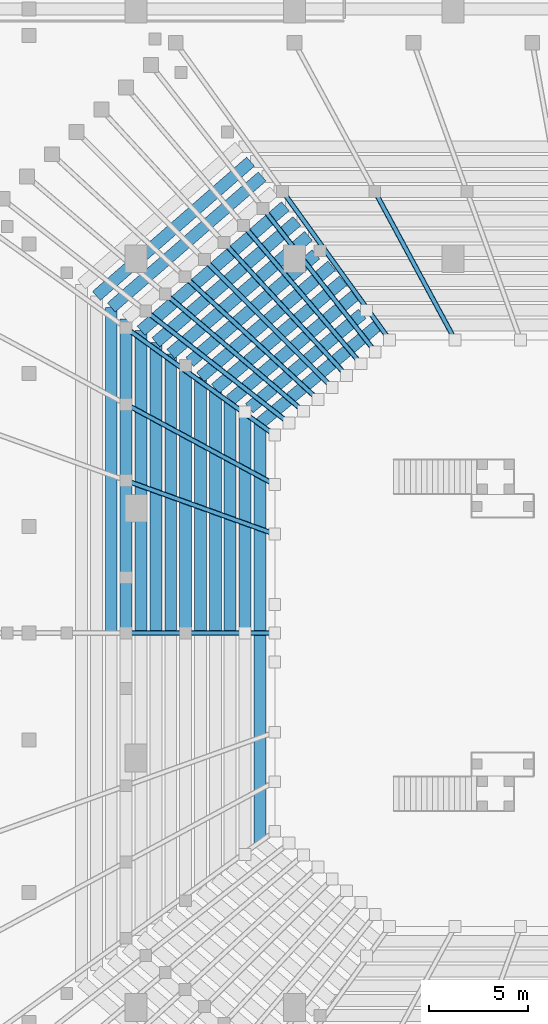
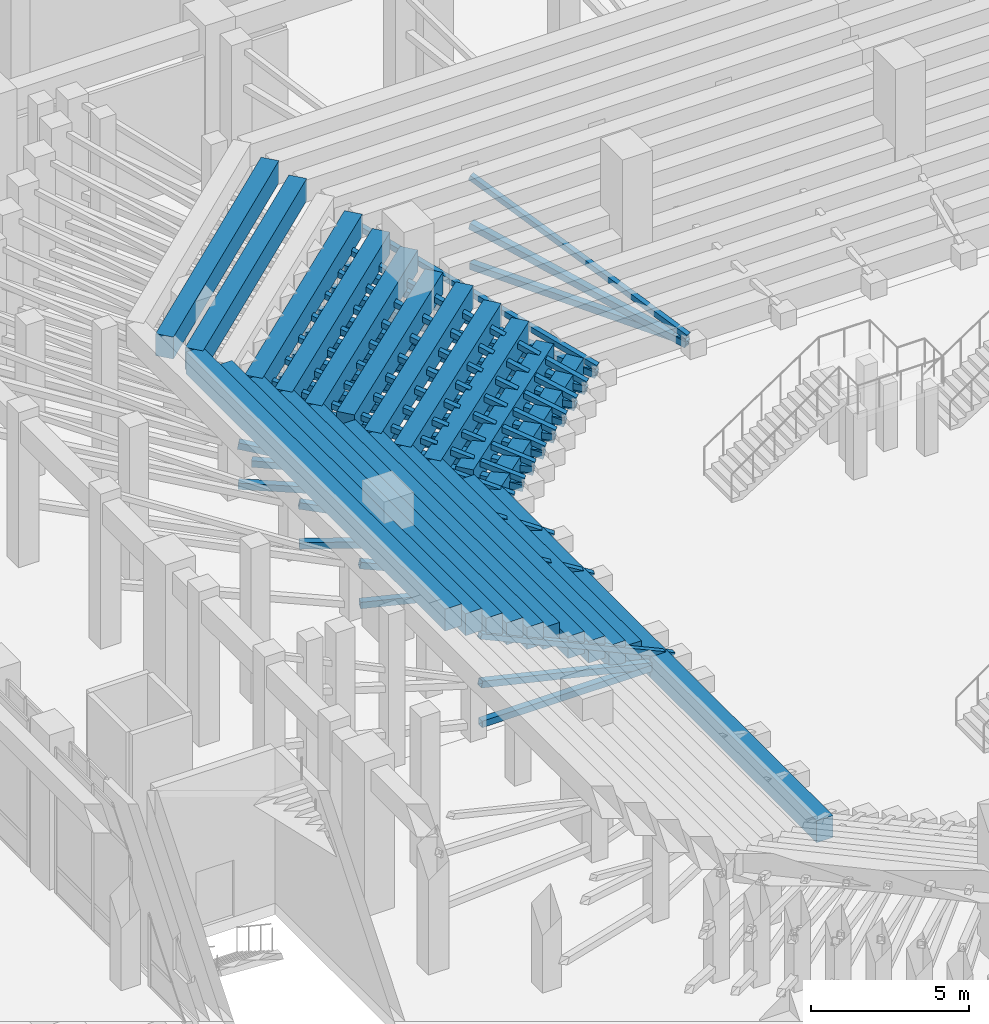
# One storey, part 44 of 143: 39 members, 23 beams.
"""IFC4 building model written with IfcOpenShell, lengths in metres."""

import ifcopenshell
import ifcopenshell.guid

model = None  # the IFC model being written
_history = None  # IfcOwnerHistory: only IFC2X3 demands one
_inside = {}  # id of a spatial element -> (the spatial element, [elements in it])
_under = {}  # id of a project, library or spatial element -> (it, [spatial elements below it])
_declared = {}  # id of a project -> (the project, [libraries it declares])
_typed = {}  # id of a type object -> (the type object, [elements of that type])
_made_of = {}  # id of a material, layer set ... -> (it, [elements and type objects made of it])


def new_model(schema):
    """Start an empty IFC model of exactly this schema.

    Asked for "IFC4X3", IfcOpenShell would pick the latest addendum, in which some entities
    have other attributes; the version numbers below select the first issue.
    IFC2X3 requires an IfcOwnerHistory on every rooted entity: one is made here for all.
    """
    global model, _history
    if schema == "IFC4X3":
        model = ifcopenshell.file(schema_version=(4, 3, 0, 0))
    else:
        model = ifcopenshell.file(schema=schema)
    _inside.clear()
    _under.clear()
    _declared.clear()
    _typed.clear()
    _made_of.clear()
    _history = None
    if model.schema == "IFC2X3":
        org = make("IfcOrganization", Name="unknown")
        user = make(
            "IfcPersonAndOrganization",
            ThePerson=make("IfcPerson", FamilyName="unknown"),
            TheOrganization=org,
        )
        app = make(
            "IfcApplication",
            ApplicationDeveloper=org,
            Version="unknown",
            ApplicationFullName="unknown",
            ApplicationIdentifier="unknown",
        )
        _history = make(
            "IfcOwnerHistory",
            OwningUser=user,
            OwningApplication=app,
            ChangeAction="ADDED",
            CreationDate=0,
        )
    return model


def make(cls, **values):
    """One entity of the class cls with the attributes given. An attribute that is None is left unset."""
    return model.create_entity(
        cls, **{name: value for name, value in values.items() if value is not None}
    )


def rooted(cls, **values):
    """An entity with a GlobalId (a new one), such as an element, a storey or a relation."""
    return make(cls, GlobalId=ifcopenshell.guid.new(), OwnerHistory=_history, **values)


def si_unit(unit_type, name, prefix=None):
    """IfcSIUnit, for example si_unit("LENGTHUNIT", "METRE", prefix="MILLI")."""
    return make("IfcSIUnit", UnitType=unit_type, Prefix=prefix, Name=name)


def derived_unit(unit_type, elements):
    """IfcDerivedUnit: a product of units, each with its exponent."""
    return make(
        "IfcDerivedUnit",
        Elements=[
            make("IfcDerivedUnitElement", Unit=unit, Exponent=power)
            for unit, power in elements
        ],
        UnitType=unit_type,
    )


def assignment(units):
    """IfcUnitAssignment: the units of a project."""
    return None if units is None else make("IfcUnitAssignment", Units=units)


def point(xyz):
    """IfcCartesianPoint."""
    return None if xyz is None else make("IfcCartesianPoint", Coordinates=xyz)


def direction(xyz):
    """IfcDirection."""
    return None if xyz is None else make("IfcDirection", DirectionRatios=xyz)


def frame(location, z_axis=None, x_axis=None):
    """IfcAxis2Placement3D, a coordinate frame: its origin and axes. An axis left out is left unset."""
    return make(
        "IfcAxis2Placement3D",
        Location=point(location),
        Axis=direction(z_axis),
        RefDirection=direction(x_axis),
    )


def frame_2d(location, x_axis=None):
    """IfcAxis2Placement2D, a coordinate frame in the plane: its origin and x axis."""
    return make(
        "IfcAxis2Placement2D", Location=point(location), RefDirection=direction(x_axis)
    )


def origin():
    """The frame at (0, 0, 0) with its axes left unset."""
    return frame((0.0, 0.0, 0.0))


def origin_2d():
    """The frame at (0, 0) in the plane with its x axis left unset."""
    return frame_2d((0.0, 0.0))


def place(relative_to, where):
    """IfcLocalPlacement: puts the frame where relative to a parent placement (None: the world)."""
    return make(
        "IfcLocalPlacement", PlacementRelTo=relative_to, RelativePlacement=where
    )


def context(
    kind, dimensions, precision=None, world=None, true_north=None, identifier=None
):
    """IfcGeometricRepresentationContext, for example the 3D "Model" context."""
    return make(
        "IfcGeometricRepresentationContext",
        ContextIdentifier=identifier,
        ContextType=kind,
        CoordinateSpaceDimension=dimensions,
        Precision=precision,
        WorldCoordinateSystem=world,
        TrueNorth=true_north,
    )


def subcontext(parent, identifier, kind, view, scale=None):
    """IfcGeometricRepresentationSubContext, for example "Body" below "Model"."""
    return make(
        "IfcGeometricRepresentationSubContext",
        ContextIdentifier=identifier,
        ContextType=kind,
        ParentContext=parent,
        TargetScale=scale,
        TargetView=view,
    )


def project(units=None, contexts=None):
    """IfcProject with its units and contexts."""
    return rooted(
        "IfcProject",
        Name="project",
        RepresentationContexts=contexts,
        UnitsInContext=assignment(units),
    )


def spatial(cls, under=None, at=None, **own):
    """A site, building, storey or space (cls), placed at a placement, below another one or the project."""
    s = rooted(cls, ObjectPlacement=at, **own)
    if under is not None:
        _under.setdefault(under.id(), (under, []))[1].append(s)
    return s


def profile(cls, at=None, kind="AREA", **sizes):
    """A parametric profile (cls). Its sizes go by their IFC names, for example OverallWidth=200.0."""
    return make(cls, ProfileType=kind, Position=at, **sizes)


def rectangle(**sizes):
    """IfcRectangleProfileDef."""
    return profile("IfcRectangleProfileDef", **sizes)


def hollow_rectangle(**sizes):
    """IfcRectangleHollowProfileDef."""
    return profile("IfcRectangleHollowProfileDef", **sizes)


def extrude(swept, where, along, depth):
    """IfcExtrudedAreaSolid: the profile swept, set in the frame where, extruded along a direction by depth."""
    return make(
        "IfcExtrudedAreaSolid",
        SweptArea=swept,
        Position=where,
        ExtrudedDirection=direction(along),
        Depth=depth,
    )


def shape(context_of_items, identifier, shape_type, items):
    """IfcShapeRepresentation: the items that make up one representation, for example the "Body"."""
    return make(
        "IfcShapeRepresentation",
        ContextOfItems=context_of_items,
        RepresentationIdentifier=identifier,
        RepresentationType=shape_type,
        Items=items,
    )


def material(Name=None, Category=None):
    """IfcMaterial."""
    return make("IfcMaterial", Name=Name, Category=Category)


def material_profile(
    of_material, cross_section, Name=None, Category=None, Priority=None
):
    """IfcMaterialProfile: a cross section and its material."""
    return make(
        "IfcMaterialProfile",
        Name=Name,
        Material=of_material,
        Profile=cross_section,
        Priority=Priority,
        Category=Category,
    )


def profile_set(profiles, Name=None, composite=None):
    """IfcMaterialProfileSet."""
    return make(
        "IfcMaterialProfileSet",
        Name=Name,
        MaterialProfiles=profiles,
        CompositeProfile=composite,
    )


def made_of(thing, what):
    """Note that an element or type object is made of a material, layer set ...; save() writes the relation."""
    if what is not None:
        _made_of.setdefault(what.id(), (what, []))[1].append(thing)
    return thing


def type_object(cls, material=None, **own):
    """A type object (cls), such as IfcWallType, which elements share."""
    return made_of(rooted(cls, **own), material)


def element(
    cls,
    number,
    at=None,
    inside=None,
    cuts=None,
    type_object=None,
    material=None,
    context=None,
    identifier="Body",
    shape_type=None,
    held_by="IfcProductDefinitionShape",
    body=None,
    shapes=None,
    **own,
):
    """One element of the class cls, such as IfcWall. Its Tag is "e" and its number.

    at: its placement. inside: the storey or other place that contains it. cuts: it is an
    opening in that element (IfcRelVoidsElement). A single representation is given by context,
    identifier, shape_type and body (its items); several are given by shapes. held_by: the class
    of the entity that holds the representations. save() writes the other relations.
    """
    e = rooted(cls, Tag="e%d" % number, ObjectPlacement=at, **own)
    if body is not None:
        shapes = [shape(context, identifier, shape_type, body)]
    if shapes is not None:
        e.Representation = make(held_by, Representations=shapes)
    if inside is not None:
        _inside.setdefault(inside.id(), (inside, []))[1].append(e)
    if cuts is not None:
        rooted(
            "IfcRelVoidsElement", RelatingBuildingElement=cuts, RelatedOpeningElement=e
        )
    if type_object is not None:
        _typed.setdefault(type_object.id(), (type_object, []))[1].append(e)
    return made_of(e, material)


def aggregate(whole, parts):
    """IfcRelAggregates: a whole, such as a stair, and the parts it consists of."""
    return rooted("IfcRelAggregates", RelatingObject=whole, RelatedObjects=parts)


def save(model, path):
    """Write the relations noted so far, then the file.

    IfcRelAggregates (storeys below a building ...), IfcRelContainedInSpatialStructure (elements
    in a storey), IfcRelDefinesByType, IfcRelAssociatesMaterial and IfcRelDeclares: one each for
    every whole, place, type object, material and project.
    """
    for whole, parts in _under.values():
        aggregate(whole, parts)
    for where, things in _inside.values():
        rooted(
            "IfcRelContainedInSpatialStructure",
            RelatedElements=things,
            RelatingStructure=where,
        )
    for kind, things in _typed.values():
        rooted("IfcRelDefinesByType", RelatedObjects=things, RelatingType=kind)
    for what, things in _made_of.values():
        rooted("IfcRelAssociatesMaterial", RelatedObjects=things, RelatingMaterial=what)
    for by, libraries in _declared.values():
        rooted("IfcRelDeclares", RelatingContext=by, RelatedDefinitions=libraries)
    model.write(path)


model = new_model("IFC4")

# Units and contexts
model_context = context("Model", 3, precision=1e-05, world=origin(), true_north=direction((0.0, 1.0)))
body_context = subcontext(model_context, "Body", "Model", "MODEL_VIEW")
ifc_project = project(units=[si_unit("LENGTHUNIT", "METRE"), si_unit("AREAUNIT", "SQUARE_METRE"), si_unit("VOLUMEUNIT", "CUBIC_METRE"), si_unit("PLANEANGLEUNIT", "RADIAN"), si_unit("MASSUNIT", "GRAM", prefix="KILO"), derived_unit("THERMALTRANSMITTANCEUNIT", [(si_unit("MASSUNIT", "GRAM", prefix="KILO"), 1), (si_unit("TIMEUNIT", "SECOND"), -3), (si_unit("THERMODYNAMICTEMPERATUREUNIT", "KELVIN"), -1)])], contexts=[model_context])

# Site, building, storey
site_placement = place(None, origin())
site = spatial("IfcSite", under=ifc_project, at=site_placement, CompositionType="ELEMENT")
building_placement = place(site_placement, origin())
building = spatial("IfcBuilding", under=site, at=building_placement, Name="Valcora Ridge Arena", CompositionType="ELEMENT")
storey_placement = place(building_placement, origin())
storey = spatial("IfcBuildingStorey", under=building, at=storey_placement, Name="L00", CompositionType="ELEMENT", Elevation=0.0)

# Beams
ifc_material_1 = material(Name="Concrete C40/50", Category="concrete")
ifc_material_profile_1 = material_profile(ifc_material_1, rectangle(XDim=0.60009765625, YDim=0.85009765625, at=origin_2d()), Name="RC 600x850")
ifc_profile_set_1 = profile_set([ifc_material_profile_1], Name="Concrete C40/50")
beam_type = type_object("IfcBeamType", Name="TY-BEAM-B-RC600-X", PredefinedType="BEAM", material=ifc_profile_set_1)
beam_1_placement = place(storey_placement, frame((44.215087890625, 79.64990234375, 0.4150390625), z_axis=(-0.768605337433, -0.639723248968, 0.0), x_axis=(0.639723248968, -0.768605337433, 0.0)))
element("IfcBeam", 1, at=beam_1_placement, inside=storey, type_object=beam_type, Name="B-RC600-X BEM-R2-B-RC600-X-0009", PredefinedType="BEAM", context=body_context, shape_type="SweptSolid", body=[
    extrude(rectangle(XDim=0.60009765625, YDim=0.85009765625, at=origin_2d()), origin(), (0.0, 0.0, 1.0), 7.760986328125),
])
beam_2_placement = place(storey_placement, frame((38.25, 74.68505859375, 0.4150390625), z_axis=(0.0, -1.0, 0.0), x_axis=(1.0, 0.0, 0.0)))
element("IfcBeam", 2, at=beam_2_placement, inside=storey, type_object=beam_type, Name="B-RC600-X BEM-R2-B-RC600-X-0010", PredefinedType="BEAM", context=body_context, shape_type="SweptSolid", body=[
    extrude(rectangle(XDim=0.60009765625, YDim=0.85009765625, at=origin_2d()), origin(), (0.0, 0.0, 1.0), 10.5849609375),
])
beam_3_placement = place(storey_placement, frame((38.25, 64.10009765625, 0.4150390625), z_axis=(0.0, -1.0, 0.0), x_axis=(1.0, 0.0, 0.0)))
element("IfcBeam", 3, at=beam_3_placement, inside=storey, type_object=beam_type, Name="B-RC600-X BEM-R2-B-RC600-X-0011", PredefinedType="BEAM", context=body_context, shape_type="SweptSolid", body=[
    extrude(rectangle(XDim=0.60009765625, YDim=0.85009765625, at=origin_2d()), origin(), (0.0, 0.0, 1.0), 10.585205078125),
])
beam_4_placement = place(storey_placement, frame((43.415283203125, 80.22021484375, 0.85498046875), z_axis=(-0.76690051629, -0.6417659995, 0.0), x_axis=(0.6417659995, -0.76690051629, 0.0)))
element("IfcBeam", 4, at=beam_4_placement, inside=storey, type_object=beam_type, Name="B-RC600-X BEM-R2-B-RC600-X-0021", PredefinedType="BEAM", context=body_context, shape_type="SweptSolid", body=[
    extrude(rectangle(XDim=0.60009765625, YDim=0.85009765625, at=origin_2d()), origin(), (0.0, 0.0, 1.0), 7.433349609375),
])
beam_5_placement = place(storey_placement, frame((37.5, 74.989990234375, 0.85498046875), z_axis=(0.0, -1.0, 0.0), x_axis=(1.0, 0.0, 0.0)))
element("IfcBeam", 5, at=beam_5_placement, inside=storey, type_object=beam_type, Name="B-RC600-X BEM-R2-B-RC600-X-0022", PredefinedType="BEAM", context=body_context, shape_type="SweptSolid", body=[
    extrude(rectangle(XDim=0.60009765625, YDim=0.85009765625, at=origin_2d()), origin(), (0.0, 0.0, 1.0), 10.610107421875),
])
beam_6_placement = place(storey_placement, frame((43.044921875, 81.14990234375, 1.294921875), z_axis=(-0.765274358305, -0.643704246157, 0.0), x_axis=(0.643704246157, -0.765274358305, 0.0)))
element("IfcBeam", 6, at=beam_6_placement, inside=storey, type_object=beam_type, Name="B-RC600-X BEM-R2-B-RC600-X-0033", PredefinedType="BEAM", context=body_context, shape_type="SweptSolid", body=[
    extrude(rectangle(XDim=0.60009765625, YDim=0.85009765625, at=origin_2d()), origin(), (0.0, 0.0, 1.0), 8.2255859375),
])
beam_7_placement = place(storey_placement, frame((36.75, 75.85498046875, 1.294921875), z_axis=(0.0, -1.0, 0.0), x_axis=(1.0, 0.0, 0.0)))
element("IfcBeam", 7, at=beam_7_placement, inside=storey, type_object=beam_type, Name="B-RC600-X BEM-R2-B-RC600-X-0034", PredefinedType="BEAM", context=body_context, shape_type="SweptSolid", body=[
    extrude(rectangle(XDim=0.60009765625, YDim=0.85009765625, at=origin_2d()), origin(), (0.0, 0.0, 1.0), 11.7548828125),
])
beam_8_placement = place(storey_placement, frame((42.4599609375, 81.89990234375, 1.735107421875), z_axis=(-0.763745277173, -0.64551773918, 0.0), x_axis=(0.64551773918, -0.763745277173, 0.0)))
element("IfcBeam", 8, at=beam_8_placement, inside=storey, type_object=beam_type, Name="B-RC600-X BEM-R2-B-RC600-X-0045", PredefinedType="BEAM", context=body_context, shape_type="SweptSolid", body=[
    extrude(rectangle(XDim=0.60009765625, YDim=0.85009765625, at=origin_2d()), origin(), (0.0, 0.0, 1.0), 8.458251953125),
])
beam_9_placement = place(storey_placement, frame((36.0, 76.43994140625, 1.735107421875), z_axis=(0.0, -1.0, 0.0), x_axis=(1.0, 0.0, 0.0)))
element("IfcBeam", 9, at=beam_9_placement, inside=storey, type_object=beam_type, Name="B-RC600-X BEM-R2-B-RC600-X-0046", PredefinedType="BEAM", context=body_context, shape_type="SweptSolid", body=[
    extrude(rectangle(XDim=0.60009765625, YDim=0.85009765625, at=origin_2d()), origin(), (0.0, 0.0, 1.0), 12.33984375),
])
beam_10_placement = place(storey_placement, frame((41.875, 82.64990234375, 2.175048828125), z_axis=(-0.762294079169, -0.647230821936, 0.0), x_axis=(0.647230821936, -0.762294079169, 0.0)))
element("IfcBeam", 10, at=beam_10_placement, inside=storey, type_object=beam_type, Name="B-RC600-X BEM-R2-B-RC600-X-0057", PredefinedType="BEAM", context=body_context, shape_type="SweptSolid", body=[
    extrude(rectangle(XDim=0.60009765625, YDim=0.85009765625, at=origin_2d()), origin(), (0.0, 0.0, 1.0), 8.69091796875),
])
beam_11_placement = place(storey_placement, frame((35.25, 77.02490234375, 2.175048828125), z_axis=(0.0, -1.0, 0.0), x_axis=(1.0, 0.0, 0.0)))
element("IfcBeam", 11, at=beam_11_placement, inside=storey, type_object=beam_type, Name="B-RC600-X BEM-R2-B-RC600-X-0058", PredefinedType="BEAM", context=body_context, shape_type="SweptSolid", body=[
    extrude(rectangle(XDim=0.60009765625, YDim=0.85009765625, at=origin_2d()), origin(), (0.0, 0.0, 1.0), 12.9248046875),
])
beam_12_placement = place(storey_placement, frame((41.076904296875, 83.21826171875, 2.614990234375), z_axis=(-0.76091703384, -0.648849187109, 0.0), x_axis=(0.648849187109, -0.76091703384, 0.0)))
element("IfcBeam", 12, at=beam_12_placement, inside=storey, type_object=beam_type, Name="B-RC600-X BEM-R2-B-RC600-X-0069", PredefinedType="BEAM", context=body_context, shape_type="SweptSolid", body=[
    extrude(rectangle(XDim=0.60009765625, YDim=0.85009765625, at=origin_2d()), origin(), (0.0, 0.0, 1.0), 8.36328125),
])
beam_13_placement = place(storey_placement, frame((34.5, 77.330078125, 2.614990234375), z_axis=(0.0, -1.0, 0.0), x_axis=(1.0, 0.0, 0.0)))
element("IfcBeam", 13, at=beam_13_placement, inside=storey, type_object=beam_type, Name="B-RC600-X BEM-R2-B-RC600-X-0070", PredefinedType="BEAM", context=body_context, shape_type="SweptSolid", body=[
    extrude(rectangle(XDim=0.60009765625, YDim=0.85009765625, at=origin_2d()), origin(), (0.0, 0.0, 1.0), 12.9501953125),
])
beam_14_placement = place(storey_placement, frame((40.705078125, 84.14990234375, 3.054931640625), z_axis=(-0.759615985638, -0.650371858526, 0.0), x_axis=(0.650371858526, -0.759615985638, 0.0)))
element("IfcBeam", 14, at=beam_14_placement, inside=storey, type_object=beam_type, Name="B-RC600-X BEM-R2-B-RC600-X-0081", PredefinedType="BEAM", context=body_context, shape_type="SweptSolid", body=[
    extrude(rectangle(XDim=0.60009765625, YDim=0.85009765625, at=origin_2d()), origin(), (0.0, 0.0, 1.0), 9.156005859375),
])
beam_15_placement = place(storey_placement, frame((33.75, 78.195068359375, 3.054931640625), z_axis=(0.0, -1.0, 0.0), x_axis=(1.0, 0.0, 0.0)))
element("IfcBeam", 15, at=beam_15_placement, inside=storey, type_object=beam_type, Name="B-RC600-X BEM-R2-B-RC600-X-0082", PredefinedType="BEAM", context=body_context, shape_type="SweptSolid", body=[
    extrude(rectangle(XDim=0.60009765625, YDim=0.85009765625, at=origin_2d()), origin(), (0.0, 0.0, 1.0), 14.094970703125),
])
beam_16_placement = place(storey_placement, frame((40.1201171875, 84.89990234375, 3.4951171875), z_axis=(-0.758365655014, -0.651829374373, 0.0), x_axis=(0.651829374373, -0.758365655014, 0.0)))
element("IfcBeam", 16, at=beam_16_placement, inside=storey, type_object=beam_type, Name="B-RC600-X BEM-R2-B-RC600-X-0093", PredefinedType="BEAM", context=body_context, shape_type="SweptSolid", body=[
    extrude(rectangle(XDim=0.60009765625, YDim=0.85009765625, at=origin_2d()), origin(), (0.0, 0.0, 1.0), 9.388671875),
])
beam_17_placement = place(storey_placement, frame((33.0, 78.780029296875, 3.4951171875), z_axis=(0.0, -1.0, 0.0), x_axis=(1.0, 0.0, 0.0)))
element("IfcBeam", 17, at=beam_17_placement, inside=storey, type_object=beam_type, Name="B-RC600-X BEM-R2-B-RC600-X-0094", PredefinedType="BEAM", context=body_context, shape_type="SweptSolid", body=[
    extrude(rectangle(XDim=0.60009765625, YDim=0.85009765625, at=origin_2d()), origin(), (0.0, 0.0, 1.0), 14.679931640625),
])
beam_18_placement = place(storey_placement, frame((39.534912109375, 85.64990234375, 3.93505859375), z_axis=(-0.757162389152, -0.653226696067, 0.0), x_axis=(0.653226696067, -0.757162389152, 0.0)))
element("IfcBeam", 18, at=beam_18_placement, inside=storey, type_object=beam_type, Name="B-RC600-X BEM-R2-B-RC600-X-0105", PredefinedType="BEAM", context=body_context, shape_type="SweptSolid", body=[
    extrude(rectangle(XDim=0.60009765625, YDim=0.85009765625, at=origin_2d()), origin(), (0.0, 0.0, 1.0), 9.621337890625),
])
beam_19_placement = place(storey_placement, frame((32.25, 79.364990234375, 3.93505859375), z_axis=(0.0, -1.0, 0.0), x_axis=(1.0, 0.0, 0.0)))
element("IfcBeam", 19, at=beam_19_placement, inside=storey, type_object=beam_type, Name="B-RC600-X BEM-R2-B-RC600-X-0106", PredefinedType="BEAM", context=body_context, shape_type="SweptSolid", body=[
    extrude(rectangle(XDim=0.60009765625, YDim=0.85009765625, at=origin_2d()), origin(), (0.0, 0.0, 1.0), 15.264892578125),
])
beam_20_placement = place(storey_placement, frame((31.5, 79.949951171875, 4.375), z_axis=(0.0, -1.0, 0.0), x_axis=(1.0, 0.0, 0.0)))
element("IfcBeam", 20, at=beam_20_placement, inside=storey, type_object=beam_type, Name="B-RC600-X BEM-R2-B-RC600-X-0118", PredefinedType="BEAM", context=body_context, shape_type="SweptSolid", body=[
    extrude(rectangle(XDim=0.60009765625, YDim=0.85009765625, at=origin_2d()), origin(), (0.0, 0.0, 1.0), 15.849853515625),
])
beam_21_placement = place(storey_placement, frame((38.364990234375, 87.14990234375, 4.81494140625), z_axis=(-0.754936305086, -0.655798120814, 0.0), x_axis=(0.655798120814, -0.754936305086, 0.0)))
element("IfcBeam", 21, at=beam_21_placement, inside=storey, type_object=beam_type, Name="B-RC600-X BEM-R2-B-RC600-X-0129", PredefinedType="BEAM", context=body_context, shape_type="SweptSolid", body=[
    extrude(rectangle(XDim=0.60009765625, YDim=0.85009765625, at=origin_2d()), origin(), (0.0, 0.0, 1.0), 10.0869140625),
])
beam_22_placement = place(storey_placement, frame((30.75, 80.534912109375, 4.81494140625), z_axis=(0.0, -1.0, 0.0), x_axis=(1.0, 0.0, 0.0)))
element("IfcBeam", 22, at=beam_22_placement, inside=storey, type_object=beam_type, Name="B-RC600-X BEM-R2-B-RC600-X-0130", PredefinedType="BEAM", context=body_context, shape_type="SweptSolid", body=[
    extrude(rectangle(XDim=0.60009765625, YDim=0.85009765625, at=origin_2d()), origin(), (0.0, 0.0, 1.0), 16.434814453125),
])
beam_23_placement = place(storey_placement, frame((37.780029296875, 87.89990234375, 5.2548828125), z_axis=(-0.753907326578, -0.656980778206, 0.0), x_axis=(0.656980778206, -0.753907326578, 0.0)))
element("IfcBeam", 23, at=beam_23_placement, inside=storey, type_object=beam_type, Name="B-RC600-X BEM-R2-B-RC600-X-0141", PredefinedType="BEAM", context=body_context, shape_type="SweptSolid", body=[
    extrude(rectangle(XDim=0.60009765625, YDim=0.85009765625, at=origin_2d()), origin(), (0.0, 0.0, 1.0), 10.319580078125),
])

# Members
ifc_material_2 = material(Name="Steel ASTM A500 Grade C", Category="steel")
ifc_material_profile_2 = material_profile(ifc_material_2, hollow_rectangle(XDim=0.25, YDim=0.25, WallThickness=0.012451171875, at=origin_2d()), Name="HSS250X250X12")
ifc_profile_set_2 = profile_set([ifc_material_profile_2], Name="Steel ASTM A500 Grade C")
member_type_1 = type_object("IfcMemberType", Name="TY-MEMBER-RKRC-251", PredefinedType="CHORD", material=ifc_profile_set_2)
member_1_placement = place(storey_placement, frame((47.98828125, 79.10693359375, 0.29833984375), z_axis=(-0.465453402644, 0.861923249442, 0.201100576924), x_axis=(-0.879899060394, -0.47516065022, 0.0)))
element("IfcMember", 24, at=member_1_placement, inside=storey, type_object=member_type_1, Name="RKRC-251 MBR-RK-RKRC-251-0038", PredefinedType="CHORD", context=body_context, shape_type="SweptSolid", body=[
    extrude(hollow_rectangle(XDim=0.25, YDim=0.25, WallThickness=0.012451171875, at=origin_2d()), origin(), (0.0, 0.0, 1.0), 8.221435546875),
])
member_2_placement = place(storey_placement, frame((44.662109375, 79.09130859375, 0.294677734375), z_axis=(-0.574095048612, 0.797370949409, 0.18604957457), x_axis=(-0.811540149599, -0.584296658889, 0.0)))
element("IfcMember", 25, at=member_2_placement, inside=storey, type_object=member_type_1, Name="RKRC-251 MBR-RK-RKRC-251-0039", PredefinedType="CHORD", context=body_context, shape_type="SweptSolid", body=[
    extrude(hollow_rectangle(XDim=0.25, YDim=0.25, WallThickness=0.012451171875, at=origin_2d()), origin(), (0.0, 0.0, 1.0), 8.92578125),
])
member_3_placement = place(storey_placement, frame((43.9296875, 78.485595703125, 0.294921875), z_axis=(-0.605307455921, 0.77369753626, 0.18706952235), x_axis=(-0.787601316701, -0.616185171788, 0.0)))
element("IfcMember", 26, at=member_3_placement, inside=storey, type_object=member_type_1, Name="RKRC-251 MBR-RK-RKRC-251-0040", PredefinedType="CHORD", context=body_context, shape_type="SweptSolid", body=[
    extrude(hollow_rectangle(XDim=0.25, YDim=0.25, WallThickness=0.012451171875, at=origin_2d()), origin(), (0.0, 0.0, 1.0), 8.87451171875),
])
member_4_placement = place(storey_placement, frame((43.197509765625, 77.879638671875, 0.295166015625), z_axis=(-0.635896408049, 0.7485781687, 0.187793726136), x_axis=(-0.762137750657, -0.647414897128, 0.0)))
element("IfcMember", 27, at=member_4_placement, inside=storey, type_object=member_type_1, Name="RKRC-251 MBR-RK-RKRC-251-0041", PredefinedType="CHORD", context=body_context, shape_type="SweptSolid", body=[
    extrude(hollow_rectangle(XDim=0.25, YDim=0.25, WallThickness=0.012451171875, at=origin_2d()), origin(), (0.0, 0.0, 1.0), 8.837646484375),
])
member_5_placement = place(storey_placement, frame((42.465087890625, 77.273193359375, 0.295166015625), z_axis=(-0.665623478086, 0.722149130028, 0.18827113273), x_axis=(-0.735298404428, -0.677743503433, 0.0)))
element("IfcMember", 28, at=member_5_placement, inside=storey, type_object=member_type_1, Name="RKRC-251 MBR-RK-RKRC-251-0042", PredefinedType="CHORD", context=body_context, shape_type="SweptSolid", body=[
    extrude(hollow_rectangle(XDim=0.25, YDim=0.25, WallThickness=0.012451171875, at=origin_2d()), origin(), (0.0, 0.0, 1.0), 8.8154296875),
])
member_6_placement = place(storey_placement, frame((41.7333984375, 76.666748046875, 0.295166015625), z_axis=(-0.694454111564, 0.694426393271, 0.188428955473), x_axis=(-0.70709266911, -0.707120892982, 0.0)))
element("IfcMember", 29, at=member_6_placement, inside=storey, type_object=member_type_1, Name="RKRC-251 MBR-RK-RKRC-251-0043", PredefinedType="CHORD", context=body_context, shape_type="SweptSolid", body=[
    extrude(hollow_rectangle(XDim=0.25, YDim=0.25, WallThickness=0.012451171875, at=origin_2d()), origin(), (0.0, 0.0, 1.0), 8.807861328125),
])
member_7_placement = place(storey_placement, frame((41.001708984375, 76.059814453125, 0.295166015625), z_axis=(-0.722135817666, 0.665638902305, 0.188267662071), x_axis=(-0.67775874937, -0.735284351563, 0.0)))
element("IfcMember", 30, at=member_7_placement, inside=storey, type_object=member_type_1, Name="RKRC-251 MBR-RK-RKRC-251-0044", PredefinedType="CHORD", context=body_context, shape_type="SweptSolid", body=[
    extrude(hollow_rectangle(XDim=0.25, YDim=0.25, WallThickness=0.012451171875, at=origin_2d()), origin(), (0.0, 0.0, 1.0), 8.8154296875),
])
member_8_placement = place(storey_placement, frame((40.270263671875, 75.45263671875, 0.295166015625), z_axis=(-0.748566023591, 0.635909558144, 0.187797609638), x_axis=(-0.647428774855, -0.762125961695, 0.0)))
element("IfcMember", 31, at=member_8_placement, inside=storey, type_object=member_type_1, Name="RKRC-251 MBR-RK-RKRC-251-0045", PredefinedType="CHORD", context=body_context, shape_type="SweptSolid", body=[
    extrude(hollow_rectangle(XDim=0.25, YDim=0.25, WallThickness=0.012451171875, at=origin_2d()), origin(), (0.0, 0.0, 1.0), 8.837646484375),
])
member_9_placement = place(storey_placement, frame((39.539306640625, 74.84521484375, 0.294921875), z_axis=(-0.773684652566, 0.605324886043, 0.187066407248), x_axis=(-0.616202543034, -0.787587725881, 0.0)))
element("IfcMember", 32, at=member_9_placement, inside=storey, type_object=member_type_1, Name="RKRC-251 MBR-RK-RKRC-251-0046", PredefinedType="CHORD", context=body_context, shape_type="SweptSolid", body=[
    extrude(hollow_rectangle(XDim=0.25, YDim=0.25, WallThickness=0.012451171875, at=origin_2d()), origin(), (0.0, 0.0, 1.0), 8.874755859375),
])
member_10_placement = place(storey_placement, frame((38.80859375, 74.23779296875, 0.294677734375), z_axis=(-0.797358428485, 0.574113385493, 0.186046653079), x_axis=(-0.58431499263, -0.811526949268, 0.0)))
element("IfcMember", 33, at=member_10_placement, inside=storey, type_object=member_type_1, Name="RKRC-251 MBR-RK-RKRC-251-0047", PredefinedType="CHORD", context=body_context, shape_type="SweptSolid", body=[
    extrude(hollow_rectangle(XDim=0.25, YDim=0.25, WallThickness=0.012451171875, at=origin_2d()), origin(), (0.0, 0.0, 1.0), 8.926025390625),
])
member_11_placement = place(storey_placement, frame((38.793212890625, 71.711669921875, 0.29833984375), z_axis=(-0.861930883615, 0.465441489347, 0.201095429747), x_axis=(-0.475147975918, -0.879905904618, 0.0)))
element("IfcMember", 34, at=member_11_placement, inside=storey, type_object=member_type_1, Name="RKRC-251 MBR-RK-RKRC-251-0048", PredefinedType="CHORD", context=body_context, shape_type="SweptSolid", body=[
    extrude(hollow_rectangle(XDim=0.25, YDim=0.25, WallThickness=0.012451171875, at=origin_2d()), origin(), (0.0, 0.0, 1.0), 8.2216796875),
])
member_12_placement = place(storey_placement, frame((38.779296875, 69.179443359375, 0.301513671875), z_axis=(-0.918995292529, 0.330859919754, 0.214427996797), x_axis=(-0.338739058473, -0.940880359166, 0.0)))
element("IfcMember", 35, at=member_12_placement, inside=storey, type_object=member_type_1, Name="RKRC-251 MBR-RK-RKRC-251-0049", PredefinedType="CHORD", context=body_context, shape_type="SweptSolid", body=[
    extrude(hollow_rectangle(XDim=0.25, YDim=0.25, WallThickness=0.012451171875, at=origin_2d()), origin(), (0.0, 0.0, 1.0), 7.6806640625),
])
member_13_placement = place(storey_placement, frame((38.766357421875, 64.10009765625, 0.304443359375), z_axis=(-0.973836720987, 0.0, 0.227248852269), x_axis=(0.0, -1.0, 0.0)))
element("IfcMember", 36, at=member_13_placement, inside=storey, type_object=member_type_1, Name="RKRC-251 MBR-RK-RKRC-251-0050", PredefinedType="CHORD", context=body_context, shape_type="SweptSolid", body=[
    extrude(hollow_rectangle(XDim=0.25, YDim=0.25, WallThickness=0.012451171875, at=origin_2d()), origin(), (0.0, 0.0, 1.0), 7.2216796875),
])
ifc_material_profile_3 = material_profile(ifc_material_2, hollow_rectangle(XDim=0.25, YDim=0.25, WallThickness=0.012451171875, at=origin_2d()), Name="HSS250X250X12")
ifc_profile_set_3 = profile_set([ifc_material_profile_3], Name="Steel ASTM A500 Grade C")
member_type_2 = type_object("IfcMemberType", Name="TY-MEMBER-RKRC-254", PredefinedType="CHORD", material=ifc_profile_set_3)
member_14_placement = place(storey_placement, frame((47.986083984375, 79.111083984375, 0.39990234375), z_axis=(-0.475158314478, 0.879900321731, 0.0), x_axis=(-0.879900321731, -0.475158314478, 0.0)))
element("IfcMember", 37, at=member_14_placement, inside=storey, type_object=member_type_2, Name="RKRC-254 MBR-RK-RKRC-254-0038", PredefinedType="CHORD", context=body_context, shape_type="SweptSolid", body=[
    extrude(hollow_rectangle(XDim=0.25, YDim=0.25, WallThickness=0.012451171875, at=origin_2d()), origin(), (0.0, 0.0, 1.0), 8.043701171875),
])
member_15_placement = place(storey_placement, frame((44.659912109375, 79.0947265625, 0.39990234375), z_axis=(-0.584317938635, 0.811524828079, 0.0), x_axis=(-0.811524828079, -0.584317938635, 0.0)))
element("IfcMember", 38, at=member_15_placement, inside=storey, type_object=member_type_2, Name="RKRC-254 MBR-RK-RKRC-254-0039", PredefinedType="CHORD", context=body_context, shape_type="SweptSolid", body=[
    extrude(hollow_rectangle(XDim=0.25, YDim=0.25, WallThickness=0.012451171875, at=origin_2d()), origin(), (0.0, 0.0, 1.0), 8.76171875),
])
member_16_placement = place(storey_placement, frame((43.927001953125, 78.489013671875, 0.39990234375), z_axis=(-0.616200925647, 0.78758899131, 0.0), x_axis=(-0.78758899131, -0.616200925647, 0.0)))
element("IfcMember", 39, at=member_16_placement, inside=storey, type_object=member_type_2, Name="RKRC-254 MBR-RK-RKRC-254-0040", PredefinedType="CHORD", context=body_context, shape_type="SweptSolid", body=[
    extrude(hollow_rectangle(XDim=0.25, YDim=0.25, WallThickness=0.012451171875, at=origin_2d()), origin(), (0.0, 0.0, 1.0), 8.709228515625),
])
member_17_placement = place(storey_placement, frame((43.194580078125, 77.8828125, 0.39990234375), z_axis=(-0.647399955279, 0.762150443091, 0.0), x_axis=(-0.762150443091, -0.647399955279, 0.0)))
element("IfcMember", 40, at=member_17_placement, inside=storey, type_object=member_type_2, Name="RKRC-254 MBR-RK-RKRC-254-0041", PredefinedType="CHORD", context=body_context, shape_type="SweptSolid", body=[
    extrude(hollow_rectangle(XDim=0.25, YDim=0.25, WallThickness=0.012451171875, at=origin_2d()), origin(), (0.0, 0.0, 1.0), 8.672119140625),
])
member_18_placement = place(storey_placement, frame((42.46240234375, 77.276611328125, 0.39990234375), z_axis=(-0.677787555529, 0.735257798035, 0.0), x_axis=(-0.735257798035, -0.677787555529, 0.0)))
element("IfcMember", 41, at=member_18_placement, inside=storey, type_object=member_type_2, Name="RKRC-254 MBR-RK-RKRC-254-0042", PredefinedType="CHORD", context=body_context, shape_type="SweptSolid", body=[
    extrude(hollow_rectangle(XDim=0.25, YDim=0.25, WallThickness=0.012451171875, at=origin_2d()), origin(), (0.0, 0.0, 1.0), 8.649169921875),
])
member_19_placement = place(storey_placement, frame((41.730224609375, 76.669677734375, 0.39990234375), z_axis=(-0.707106781187, 0.707106781187, 0.0), x_axis=(-0.707106781187, -0.707106781187, 0.0)))
element("IfcMember", 42, at=member_19_placement, inside=storey, type_object=member_type_2, Name="RKRC-254 MBR-RK-RKRC-254-0043", PredefinedType="CHORD", context=body_context, shape_type="SweptSolid", body=[
    extrude(hollow_rectangle(XDim=0.25, YDim=0.25, WallThickness=0.012451171875, at=origin_2d()), origin(), (0.0, 0.0, 1.0), 8.6416015625),
])
member_20_placement = place(storey_placement, frame((40.99853515625, 76.062744140625, 0.39990234375), z_axis=(-0.735284831695, 0.677758228486, 0.0), x_axis=(-0.677758228486, -0.735284831695, 0.0)))
element("IfcMember", 43, at=member_20_placement, inside=storey, type_object=member_type_2, Name="RKRC-254 MBR-RK-RKRC-254-0044", PredefinedType="CHORD", context=body_context, shape_type="SweptSolid", body=[
    extrude(hollow_rectangle(XDim=0.25, YDim=0.25, WallThickness=0.012451171875, at=origin_2d()), origin(), (0.0, 0.0, 1.0), 8.649169921875),
])
member_21_placement = place(storey_placement, frame((40.26708984375, 75.455322265625, 0.39990234375), z_axis=(-0.762138643155, 0.647413846477, 0.0), x_axis=(-0.647413846477, -0.762138643155, 0.0)))
element("IfcMember", 44, at=member_21_placement, inside=storey, type_object=member_type_2, Name="RKRC-254 MBR-RK-RKRC-254-0045", PredefinedType="CHORD", context=body_context, shape_type="SweptSolid", body=[
    extrude(hollow_rectangle(XDim=0.25, YDim=0.25, WallThickness=0.012451171875, at=origin_2d()), origin(), (0.0, 0.0, 1.0), 8.671875),
])
member_22_placement = place(storey_placement, frame((39.535888671875, 74.847900390625, 0.39990234375), z_axis=(-0.78758899131, 0.616200925647, 0.0), x_axis=(-0.616200925647, -0.78758899131, 0.0)))
element("IfcMember", 45, at=member_22_placement, inside=storey, type_object=member_type_2, Name="RKRC-254 MBR-RK-RKRC-254-0046", PredefinedType="CHORD", context=body_context, shape_type="SweptSolid", body=[
    extrude(hollow_rectangle(XDim=0.25, YDim=0.25, WallThickness=0.012451171875, at=origin_2d()), origin(), (0.0, 0.0, 1.0), 8.709228515625),
])
member_23_placement = place(storey_placement, frame((38.80517578125, 74.240234375, 0.39990234375), z_axis=(-0.811524828079, 0.584317938635, 0.0), x_axis=(-0.584317938635, -0.811524828079, 0.0)))
element("IfcMember", 46, at=member_23_placement, inside=storey, type_object=member_type_2, Name="RKRC-254 MBR-RK-RKRC-254-0047", PredefinedType="CHORD", context=body_context, shape_type="SweptSolid", body=[
    extrude(hollow_rectangle(XDim=0.25, YDim=0.25, WallThickness=0.012451171875, at=origin_2d()), origin(), (0.0, 0.0, 1.0), 8.76171875),
])
member_24_placement = place(storey_placement, frame((38.788818359375, 71.714111328125, 0.39990234375), z_axis=(-0.879913011468, 0.475134814816, 0.0), x_axis=(-0.475134814816, -0.879913011468, 0.0)))
element("IfcMember", 47, at=member_24_placement, inside=storey, type_object=member_type_2, Name="RKRC-254 MBR-RK-RKRC-254-0048", PredefinedType="CHORD", context=body_context, shape_type="SweptSolid", body=[
    extrude(hollow_rectangle(XDim=0.25, YDim=0.25, WallThickness=0.012451171875, at=origin_2d()), origin(), (0.0, 0.0, 1.0), 8.04345703125),
])
member_25_placement = place(storey_placement, frame((38.774169921875, 69.181396484375, 0.39990234375), z_axis=(-0.940889489153, 0.338713697983, 0.0), x_axis=(-0.338713697983, -0.940889489153, 0.0)))
element("IfcMember", 48, at=member_25_placement, inside=storey, type_object=member_type_2, Name="RKRC-254 MBR-RK-RKRC-254-0049", PredefinedType="CHORD", context=body_context, shape_type="SweptSolid", body=[
    extrude(hollow_rectangle(XDim=0.25, YDim=0.25, WallThickness=0.012451171875, at=origin_2d()), origin(), (0.0, 0.0, 1.0), 7.4912109375),
])
member_26_placement = place(storey_placement, frame((38.760009765625, 64.10009765625, 0.39990234375), z_axis=(-1.0, 0.0, 0.0), x_axis=(0.0, -1.0, 0.0)))
element("IfcMember", 49, at=member_26_placement, inside=storey, type_object=member_type_2, Name="RKRC-254 MBR-RK-RKRC-254-0050", PredefinedType="CHORD", context=body_context, shape_type="SweptSolid", body=[
    extrude(hollow_rectangle(XDim=0.25, YDim=0.25, WallThickness=0.012451171875, at=origin_2d()), origin(), (0.0, 0.0, 1.0), 7.02001953125),
])
ifc_material_profile_4 = material_profile(ifc_material_2, hollow_rectangle(XDim=0.199951171875, YDim=0.199951171875, WallThickness=0.012451171875, at=origin_2d()), Name="HSS200X200X12")
ifc_profile_set_4 = profile_set([ifc_material_profile_4], Name="Steel ASTM A500 Grade C")
member_type_3 = type_object("IfcMemberType", Name="TY-MEMBER-RKRD-204", PredefinedType="BRACE", material=ifc_profile_set_4)
member_27_placement = place(storey_placement, frame((47.994140625, 79.09619140625, 0.5888671875), z_axis=(-0.441332404454, 0.817283270204, 0.370504743591), x_axis=(-0.87990565038, -0.475148446729, 0.0)))
element("IfcMember", 50, at=member_27_placement, inside=storey, type_object=member_type_3, Name="RKRD-204 Raker Diagonal Brace", PredefinedType="BRACE", context=body_context, shape_type="SweptSolid", body=[
    extrude(hollow_rectangle(XDim=0.199951171875, YDim=0.199951171875, WallThickness=0.012451171875, at=origin_2d()), origin(), (0.0, 0.0, 1.0), 8.69677734375),
])
member_28_placement = place(storey_placement, frame((44.66845703125, 79.082763671875, 0.5830078125), z_axis=(-0.548383504773, 0.761627829474, 0.345251475107), x_axis=(-0.811528547418, -0.584312773029, 0.0)))
element("IfcMember", 51, at=member_28_placement, inside=storey, type_object=member_type_3, Name="RKRD-204 Raker Diagonal Brace", PredefinedType="BRACE", context=body_context, shape_type="SweptSolid", body=[
    extrude(hollow_rectangle(XDim=0.199951171875, YDim=0.199951171875, WallThickness=0.012451171875, at=origin_2d()), origin(), (0.0, 0.0, 1.0), 9.367431640625),
])
member_29_placement = place(storey_placement, frame((43.936279296875, 78.477294921875, 0.583251953125), z_axis=(-0.577910837908, 0.73865268814, 0.347003270492), x_axis=(-0.787590473734, -0.616199030901, 0.0)))
element("IfcMember", 52, at=member_29_placement, inside=storey, type_object=member_type_3, Name="RKRD-204 Raker Diagonal Brace", PredefinedType="BRACE", context=body_context, shape_type="SweptSolid", body=[
    extrude(hollow_rectangle(XDim=0.199951171875, YDim=0.199951171875, WallThickness=0.012451171875, at=origin_2d()), origin(), (0.0, 0.0, 1.0), 9.318115234375),
])
member_30_placement = place(storey_placement, frame((43.204345703125, 77.87158203125, 0.58349609375), z_axis=(-0.606882002874, 0.714424386829, 0.348270053394), x_axis=(-0.762138652871, -0.647413835039, 0.0)))
element("IfcMember", 53, at=member_30_placement, inside=storey, type_object=member_type_3, Name="RKRD-204 Raker Diagonal Brace", PredefinedType="BRACE", context=body_context, shape_type="SweptSolid", body=[
    extrude(hollow_rectangle(XDim=0.199951171875, YDim=0.199951171875, WallThickness=0.012451171875, at=origin_2d()), origin(), (0.0, 0.0, 1.0), 9.28271484375),
])
member_31_placement = place(storey_placement, frame((42.47265625, 77.265380859375, 0.583740234375), z_axis=(-0.635158631429, 0.68903745956, 0.348999845623), x_axis=(-0.735269137731, -0.677775254122, 0.0)))
element("IfcMember", 54, at=member_31_placement, inside=storey, type_object=member_type_3, Name="RKRD-204 Raker Diagonal Brace", PredefinedType="BRACE", context=body_context, shape_type="SweptSolid", body=[
    extrude(hollow_rectangle(XDim=0.199951171875, YDim=0.199951171875, WallThickness=0.012451171875, at=origin_2d()), origin(), (0.0, 0.0, 1.0), 9.261962890625),
])
member_32_placement = place(storey_placement, frame((41.740966796875, 76.658935546875, 0.583740234375), z_axis=(-0.662575857182, 0.662575857182, 0.349265610904), x_axis=(-0.707106781187, -0.707106781187, 0.0)))
element("IfcMember", 55, at=member_32_placement, inside=storey, type_object=member_type_3, Name="RKRD-204 Raker Diagonal Brace", PredefinedType="BRACE", context=body_context, shape_type="SweptSolid", body=[
    extrude(hollow_rectangle(XDim=0.199951171875, YDim=0.199951171875, WallThickness=0.012451171875, at=origin_2d()), origin(), (0.0, 0.0, 1.0), 9.2548828125),
])
member_33_placement = place(storey_placement, frame((41.009521484375, 76.052490234375, 0.583740234375), z_axis=(-0.689035150874, 0.635154442033, 0.349012027911), x_axis=(-0.677774065001, -0.735270233868, 0.0)))
element("IfcMember", 56, at=member_33_placement, inside=storey, type_object=member_type_3, Name="RKRD-204 Raker Diagonal Brace", PredefinedType="BRACE", context=body_context, shape_type="SweptSolid", body=[
    extrude(hollow_rectangle(XDim=0.199951171875, YDim=0.199951171875, WallThickness=0.012451171875, at=origin_2d()), origin(), (0.0, 0.0, 1.0), 9.26171875),
])
member_34_placement = place(storey_placement, frame((40.278564453125, 75.44580078125, 0.58349609375), z_axis=(-0.71443726309, 0.606870599882, 0.348263509583), x_axis=(-0.647399991399, -0.76215041241, 0.0)))
element("IfcMember", 57, at=member_34_placement, inside=storey, type_object=member_type_3, Name="RKRD-204 Raker Diagonal Brace", PredefinedType="BRACE", context=body_context, shape_type="SweptSolid", body=[
    extrude(hollow_rectangle(XDim=0.199951171875, YDim=0.199951171875, WallThickness=0.012451171875, at=origin_2d()), origin(), (0.0, 0.0, 1.0), 9.282958984375),
])
member_35_placement = place(storey_placement, frame((39.547607421875, 74.838623046875, 0.583251953125), z_axis=(-0.738641503667, 0.577928287738, 0.346998016266), x_axis=(-0.616216359532, -0.787576915764, 0.0)))
element("IfcMember", 58, at=member_35_placement, inside=storey, type_object=member_type_3, Name="RKRD-204 Raker Diagonal Brace", PredefinedType="BRACE", context=body_context, shape_type="SweptSolid", body=[
    extrude(hollow_rectangle(XDim=0.199951171875, YDim=0.199951171875, WallThickness=0.012451171875, at=origin_2d()), origin(), (0.0, 0.0, 1.0), 9.318115234375),
])
member_36_placement = place(storey_placement, frame((38.817138671875, 74.231689453125, 0.5830078125), z_axis=(-0.761627770526, 0.54837616494, 0.345263263163), x_axis=(-0.584307652214, -0.811532234458, 0.0)))
element("IfcMember", 59, at=member_36_placement, inside=storey, type_object=member_type_3, Name="RKRD-204 Raker Diagonal Brace", PredefinedType="BRACE", context=body_context, shape_type="SweptSolid", body=[
    extrude(hollow_rectangle(XDim=0.199951171875, YDim=0.199951171875, WallThickness=0.012451171875, at=origin_2d()), origin(), (0.0, 0.0, 1.0), 9.3671875),
])
member_37_placement = place(storey_placement, frame((38.803955078125, 71.705810546875, 0.5888671875), z_axis=(-0.817282465938, 0.4413448832, 0.370491653), x_axis=(-0.475159210405, -0.879899837917, 0.0)))
element("IfcMember", 60, at=member_37_placement, inside=storey, type_object=member_type_3, Name="RKRD-204 Raker Diagonal Brace", PredefinedType="BRACE", context=body_context, shape_type="SweptSolid", body=[
    extrude(hollow_rectangle(XDim=0.199951171875, YDim=0.199951171875, WallThickness=0.012451171875, at=origin_2d()), origin(), (0.0, 0.0, 1.0), 8.697021484375),
])
member_38_placement = place(storey_placement, frame((38.792236328125, 69.1748046875, 0.59423828125), z_axis=(-0.865450734927, 0.311547948758, 0.3923428361), x_axis=(-0.338705690146, -0.94089237188, 0.0)))
element("IfcMember", 61, at=member_38_placement, inside=storey, type_object=member_type_3, Name="RKRD-204 Raker Diagonal Brace", PredefinedType="BRACE", context=body_context, shape_type="SweptSolid", body=[
    extrude(hollow_rectangle(XDim=0.199951171875, YDim=0.199951171875, WallThickness=0.012451171875, at=origin_2d()), origin(), (0.0, 0.0, 1.0), 8.185791015625),
])
member_39_placement = place(storey_placement, frame((38.781494140625, 64.10009765625, 0.59912109375), z_axis=(-0.910792949314, 0.0, 0.412863419886), x_axis=(0.0, -1.0, 0.0)))
element("IfcMember", 62, at=member_39_placement, inside=storey, type_object=member_type_3, Name="RKRD-204 Raker Diagonal Brace", PredefinedType="BRACE", context=body_context, shape_type="SweptSolid", body=[
    extrude(hollow_rectangle(XDim=0.199951171875, YDim=0.199951171875, WallThickness=0.012451171875, at=origin_2d()), origin(), (0.0, 0.0, 1.0), 7.7548828125),
])

save(model, "model.ifc")
